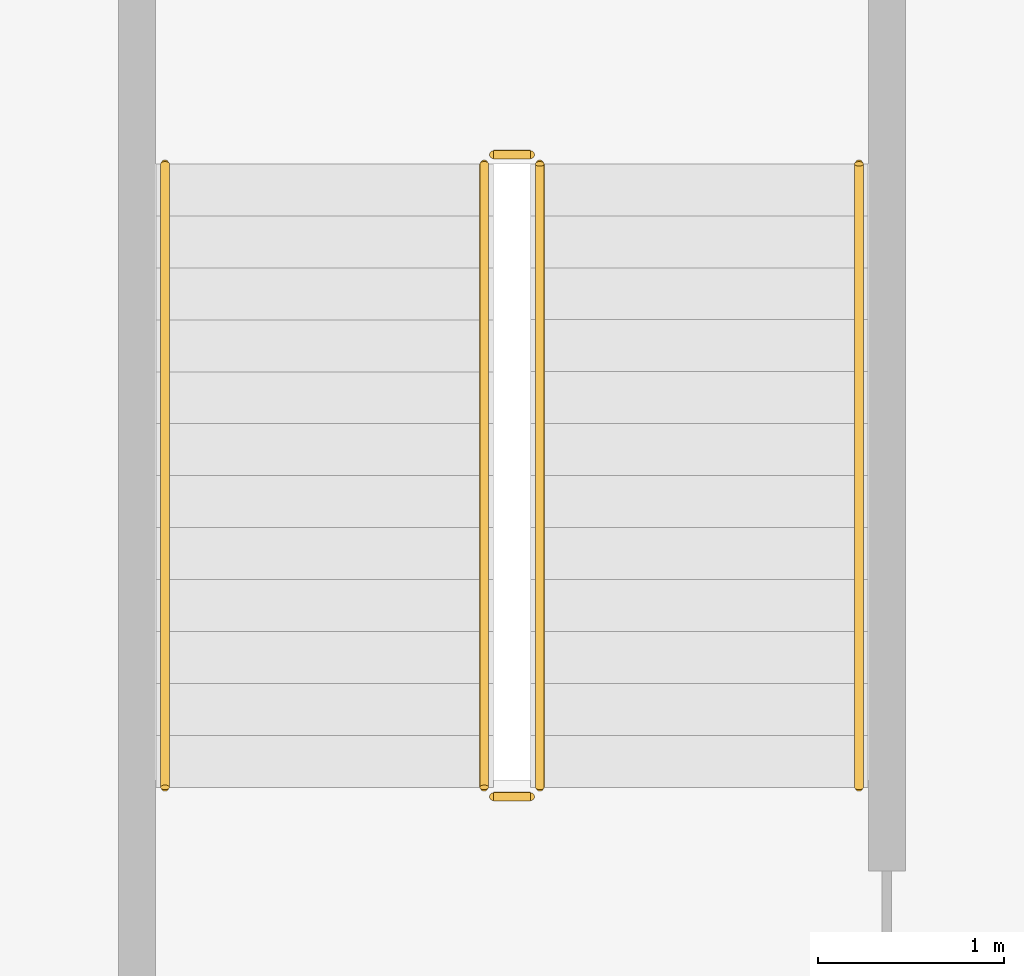
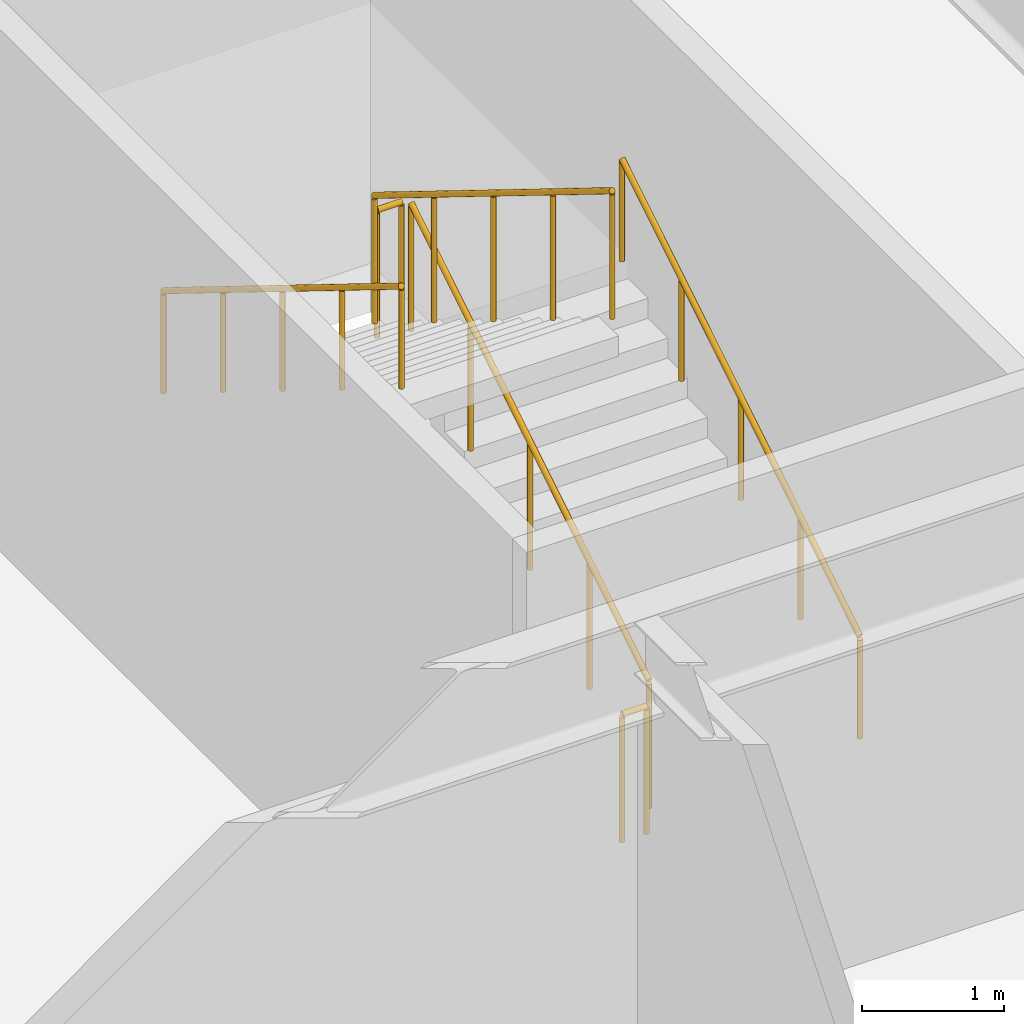
# One storey, part 8 of 9: 6 railings.
"""IFC4 building model written with IfcOpenShell, lengths in metres."""

from ifc_helpers import new_model, si_unit, direction, frame, origin, origin_2d, place, context, subcontext, project, spatial, circle, extrude, material, type_object, element, save


model = new_model("IFC4")

# Units and contexts
model_context = context("Model", 3, precision=1e-05, world=origin(), true_north=direction((0.0, 1.0)))
body_context = subcontext(model_context, "Body", "Model", "MODEL_VIEW")
ifc_project = project(units=[si_unit("LENGTHUNIT", "METRE"), si_unit("AREAUNIT", "SQUARE_METRE"), si_unit("VOLUMEUNIT", "CUBIC_METRE"), si_unit("PLANEANGLEUNIT", "RADIAN"), si_unit("MASSUNIT", "GRAM", prefix="KILO")], contexts=[model_context])

# Site, building, storey
site_placement = place(None, origin())
site = spatial("IfcSite", under=ifc_project, at=site_placement, CompositionType="ELEMENT")
building_placement = place(site_placement, origin())
building = spatial("IfcBuilding", under=site, at=building_placement, Name="Nefas-Gora Pilgrimage Tower", CompositionType="ELEMENT")
storey_placement = place(building_placement, frame((0.0, 0.0, -4.5)))
storey = spatial("IfcBuildingStorey", under=building, at=storey_placement, Name="B01", CompositionType="ELEMENT", Elevation=-4.5)

# Railings
ifc_material_1 = material(Name="Painted galvanised steel", Category="steel")
railing_type_1 = type_object("IfcRailingType", Name="RLG-STR-GUARD-1100", PredefinedType="GUARDRAIL", material=ifc_material_1)
railing_1_placement = place(storey_placement, frame((-29.469970703125, 11.800048828125, 0.173095703125)))
element("IfcRailing", 1, at=railing_1_placement, inside=storey, type_object=railing_type_1, Name="B01 ST-04 stair guard 1", PredefinedType="GUARDRAIL", context=body_context, shape_type="SweptSolid", body=[
    extrude(circle(Radius=0.02392578125, at=origin_2d()), frame((0.0, 0.0, 1.09619140625), z_axis=(0.0, 0.850606129759, 0.525803396734), x_axis=(-1.0, 0.0, 0.0)), (0.0, 0.0, 1.0), 3.949951171875),
    extrude(circle(Radius=0.02099609375, at=origin_2d()), origin(), (0.0, 0.0, 1.0), 1.072021484375),
    extrude(circle(Radius=0.02099609375, at=origin_2d()), frame((0.0, 0.83984375, 0.519287109375)), (0.0, 0.0, 1.0), 1.072021484375),
    extrude(circle(Radius=0.02099609375, at=origin_2d()), frame((0.0, 1.679931640625, 1.03857421875)), (0.0, 0.0, 1.0), 1.072021484375),
    extrude(circle(Radius=0.02099609375, at=origin_2d()), frame((0.0, 2.52001953125, 1.5576171875)), (0.0, 0.0, 1.0), 1.072021484375),
    extrude(circle(Radius=0.02099609375, at=origin_2d()), frame((0.0, 3.35986328125, 2.076904296875)), (0.0, 0.0, 1.0), 1.072021484375),
])
railing_2_placement = place(storey_placement, frame((-29.52001953125, 15.2099609375, 2.25)))
element("IfcRailing", 2, at=railing_2_placement, inside=storey, type_object=railing_type_1, Name="B01 ST-04 stair guard 2", PredefinedType="GUARDRAIL", context=body_context, shape_type="SweptSolid", body=[
    extrude(circle(Radius=0.02392578125, at=origin_2d()), frame((0.0, 0.0, 1.09619140625), z_axis=(-1.0, 0.0, 0.0), x_axis=(0.0, -1.0, 0.0)), (0.0, 0.0, 1.0), 0.199951171875),
    extrude(circle(Radius=0.02099609375, at=origin_2d()), origin(), (0.0, 0.0, 1.0), 1.072021484375),
    extrude(circle(Radius=0.02099609375, at=origin_2d()), frame((-0.199951171875, 0.0, 0.0)), (0.0, 0.0, 1.0), 1.072021484375),
])
railing_3_placement = place(storey_placement, frame((-29.77001953125, 15.159912109375, 2.423095703125)))
element("IfcRailing", 3, at=railing_3_placement, inside=storey, type_object=railing_type_1, Name="B01 ST-04 stair guard 3", PredefinedType="GUARDRAIL", context=body_context, shape_type="SweptSolid", body=[
    extrude(circle(Radius=0.02392578125, at=origin_2d()), frame((0.0, 0.0, 1.09619140625), z_axis=(0.0, -0.850606129759, 0.525803396734), x_axis=(1.0, 0.0, 0.0)), (0.0, 0.0, 1.0), 3.949951171875),
    extrude(circle(Radius=0.02099609375, at=origin_2d()), origin(), (0.0, 0.0, 1.0), 1.072021484375),
    extrude(circle(Radius=0.02099609375, at=origin_2d()), frame((0.0, -0.83984375, 0.519287109375)), (0.0, 0.0, 1.0), 1.072021484375),
    extrude(circle(Radius=0.02099609375, at=origin_2d()), frame((0.0, -1.679931640625, 1.03857421875)), (0.0, 0.0, 1.0), 1.072021484375),
    extrude(circle(Radius=0.02099609375, at=origin_2d()), frame((0.0, -2.52001953125, 1.5576171875)), (0.0, 0.0, 1.0), 1.072021484375),
    extrude(circle(Radius=0.02099609375, at=origin_2d()), frame((0.0, -3.35986328125, 2.076904296875)), (0.0, 0.0, 1.0), 1.072021484375),
])
railing_4_placement = place(storey_placement, frame((-29.52001953125, 11.75, 0.0)))
element("IfcRailing", 4, at=railing_4_placement, inside=storey, type_object=railing_type_1, Name="B01 ST-04 stair guard 4", PredefinedType="GUARDRAIL", context=body_context, shape_type="SweptSolid", body=[
    extrude(circle(Radius=0.02392578125, at=origin_2d()), frame((0.0, 0.0, 1.09619140625), z_axis=(-1.0, 0.0, 0.0), x_axis=(0.0, -1.0, 0.0)), (0.0, 0.0, 1.0), 0.199951171875),
    extrude(circle(Radius=0.02099609375, at=origin_2d()), origin(), (0.0, 0.0, 1.0), 1.072021484375),
    extrude(circle(Radius=0.02099609375, at=origin_2d()), frame((-0.199951171875, 0.0, 0.0)), (0.0, 0.0, 1.0), 1.072021484375),
])
ifc_material_2 = material(Name="Brushed stainless steel", Category="steel")
railing_type_2 = type_object("IfcRailingType", Name="RLG-STR-HAND-900", PredefinedType="HANDRAIL", material=ifc_material_2)
railing_5_placement = place(storey_placement, frame((-27.75, 11.800048828125, 0.173095703125)))
element("IfcRailing", 5, at=railing_5_placement, inside=storey, type_object=railing_type_2, Name="B01 ST-04 stair handrail 1", PredefinedType="HANDRAIL", context=body_context, shape_type="SweptSolid", body=[
    extrude(circle(Radius=0.02392578125, at=origin_2d()), frame((0.0, 0.0, 0.8759765625), z_axis=(0.0, 0.850606129759, 0.525803396734), x_axis=(-1.0, 0.0, 0.0)), (0.0, 0.0, 1.0), 3.949951171875),
    extrude(circle(Radius=0.02099609375, at=origin_2d()), origin(), (0.0, 0.0, 1.0), 0.851806640625),
    extrude(circle(Radius=0.02099609375, at=origin_2d()), frame((0.0, 0.83984375, 0.519287109375)), (0.0, 0.0, 1.0), 0.851806640625),
    extrude(circle(Radius=0.02099609375, at=origin_2d()), frame((0.0, 1.679931640625, 1.03857421875)), (0.0, 0.0, 1.0), 0.851806640625),
    extrude(circle(Radius=0.02099609375, at=origin_2d()), frame((0.0, 2.52001953125, 1.5576171875)), (0.0, 0.0, 1.0), 0.851806640625),
    extrude(circle(Radius=0.02099609375, at=origin_2d()), frame((0.0, 3.35986328125, 2.076904296875)), (0.0, 0.0, 1.0), 0.851806640625),
])
railing_6_placement = place(storey_placement, frame((-31.489990234375, 15.159912109375, 2.423095703125)))
element("IfcRailing", 6, at=railing_6_placement, inside=storey, type_object=railing_type_2, Name="B01 ST-04 stair handrail 2", PredefinedType="HANDRAIL", context=body_context, shape_type="SweptSolid", body=[
    extrude(circle(Radius=0.02392578125, at=origin_2d()), frame((0.0, 0.0, 0.8759765625), z_axis=(0.0, -0.850606129759, 0.525803396734), x_axis=(1.0, 0.0, 0.0)), (0.0, 0.0, 1.0), 3.949951171875),
    extrude(circle(Radius=0.02099609375, at=origin_2d()), origin(), (0.0, 0.0, 1.0), 0.851806640625),
    extrude(circle(Radius=0.02099609375, at=origin_2d()), frame((0.0, -0.83984375, 0.519287109375)), (0.0, 0.0, 1.0), 0.851806640625),
    extrude(circle(Radius=0.02099609375, at=origin_2d()), frame((0.0, -1.679931640625, 1.03857421875)), (0.0, 0.0, 1.0), 0.851806640625),
    extrude(circle(Radius=0.02099609375, at=origin_2d()), frame((0.0, -2.52001953125, 1.5576171875)), (0.0, 0.0, 1.0), 0.851806640625),
    extrude(circle(Radius=0.02099609375, at=origin_2d()), frame((0.0, -3.35986328125, 2.076904296875)), (0.0, 0.0, 1.0), 0.851806640625),
])

save(model, "model.ifc")
